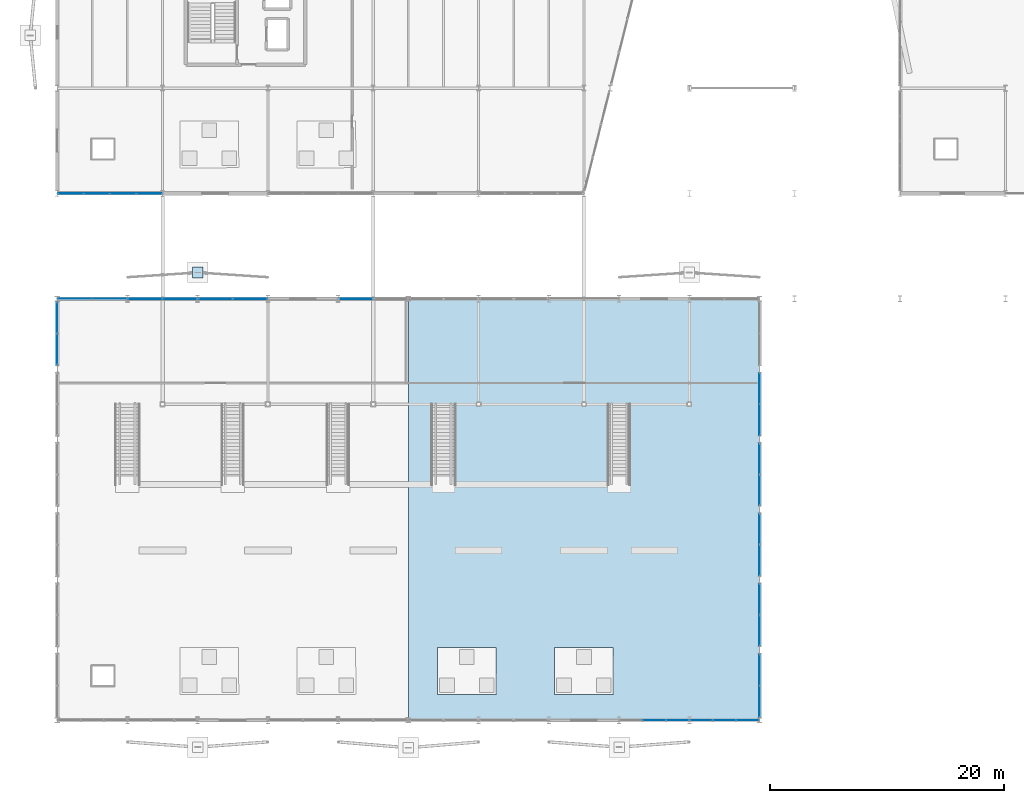
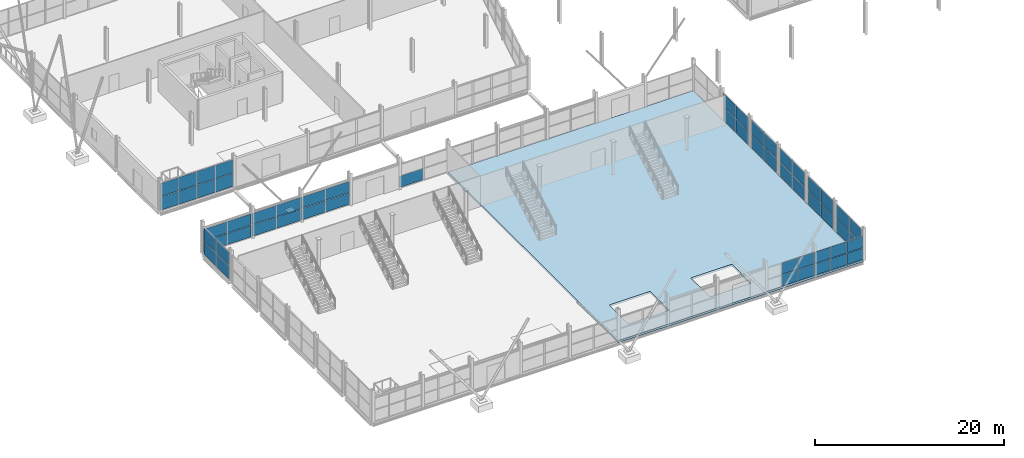
# One storey, part 102 of 140: 56 plates, 1 slab, 13 elements without a shape of their own.
"""IFC4 building model written with IfcOpenShell, lengths in metres."""

from ifc_helpers import new_model, si_unit, direction, frame, origin, origin_2d, place, context, subcontext, project, spatial, polyline, rectangle, outline, extrude, material, layer, layer_set, type_object, element, aggregate, save


model = new_model("IFC4")

# Units and contexts
model_context = context("Model", 3, precision=1e-05, world=origin(), true_north=direction((0.0, 1.0)))
body_context = subcontext(model_context, "Body", "Model", "MODEL_VIEW")
ifc_project = project(units=[si_unit("LENGTHUNIT", "METRE"), si_unit("AREAUNIT", "SQUARE_METRE"), si_unit("VOLUMEUNIT", "CUBIC_METRE"), si_unit("PLANEANGLEUNIT", "RADIAN"), si_unit("MASSUNIT", "GRAM", prefix="KILO")], contexts=[model_context])

# Site, building, storey
site_placement = place(None, origin())
site = spatial("IfcSite", under=ifc_project, at=site_placement, CompositionType="ELEMENT")
building_placement = place(site_placement, origin())
building = spatial("IfcBuilding", under=site, at=building_placement, Name="Deido Ridge Mobility Hub", CompositionType="ELEMENT")
storey_placement = place(building_placement, origin())
storey = spatial("IfcBuildingStorey", under=building, at=storey_placement, Name="L00", CompositionType="ELEMENT", Elevation=0.0)

# Curtain wall, plates
ifc_material_1 = material(Name="Anodised aluminium EN AW-6063 T6", Category="aluminium")
ifc_layer_1 = layer(ifc_material_1, 0.1650390625, Name="Anodised aluminium EN AW-6063 T6")
ifc_layer_set_1 = layer_set([ifc_layer_1], Name="Anodised aluminium EN AW-6063 T6")
curtain_wall_type_1 = type_object("IfcCurtainWallType", Name="CW-UF-1", PredefinedType="USERDEFINED", material=ifc_layer_set_1)
curtain_wall_1_placement = place(storey_placement, origin())
curtain_wall_1 = element("IfcCurtainWall", 1, at=curtain_wall_1_placement, inside=storey, type_object=curtain_wall_type_1, Name="Unitised curtain wall CW1", ObjectType="UNITISED FACADE", PredefinedType="USERDEFINED")
ifc_material_2 = material(Name="Laminated solar-control low-E glass", Category="glass")
ifc_layer_2 = layer(ifc_material_2, 0.02587890625, Name="Laminated solar-control low-E glass")
ifc_layer_set_2 = layer_set([ifc_layer_2], Name="Laminated solar-control low-E glass")
plate_type_1 = type_object("IfcPlateType", Name="PLT-CWP-26", PredefinedType="CURTAIN_PANEL", material=ifc_layer_set_2)
plate_1_placement = place(storey_placement, frame((51.0, 0.0, 0.050048828125), z_axis=(0.0, 0.0, 1.0), x_axis=(1.0, 0.0, 0.0)))
plate_1 = element("IfcPlate", 2, at=plate_1_placement, type_object=plate_type_1, Name="CW1 panel 2.1", PredefinedType="CURTAIN_PANEL", context=body_context, shape_type="SweptSolid", body=[
    extrude(rectangle(XDim=1.94482421875, YDim=0.02587890625, at=origin_2d()), origin(), (0.0, 0.0, 1.0), 1.47509765625),
])
plate_2_placement = place(storey_placement, frame((51.0, 0.0, 1.574951171875), z_axis=(0.0, 0.0, 1.0), x_axis=(1.0, 0.0, 0.0)))
plate_2 = element("IfcPlate", 3, at=plate_2_placement, type_object=plate_type_1, Name="CW1 panel 2.2", PredefinedType="CURTAIN_PANEL", context=body_context, shape_type="SweptSolid", body=[
    extrude(rectangle(XDim=1.94482421875, YDim=0.02587890625, at=origin_2d()), origin(), (0.0, 0.0, 1.0), 1.47509765625),
])
plate_3_placement = place(storey_placement, frame((52.982421875, 0.0, 0.050048828125), z_axis=(0.0, 0.0, 1.0), x_axis=(1.0, 0.0, 0.0)))
plate_3 = element("IfcPlate", 4, at=plate_3_placement, type_object=plate_type_1, Name="CW1 panel 3.1", PredefinedType="CURTAIN_PANEL", context=body_context, shape_type="SweptSolid", body=[
    extrude(rectangle(XDim=1.919921875, YDim=0.02587890625, at=origin_2d()), origin(), (0.0, 0.0, 1.0), 1.47509765625),
])
plate_4_placement = place(storey_placement, frame((52.982421875, 0.0, 1.574951171875), z_axis=(0.0, 0.0, 1.0), x_axis=(1.0, 0.0, 0.0)))
plate_4 = element("IfcPlate", 5, at=plate_4_placement, type_object=plate_type_1, Name="CW1 panel 3.2", PredefinedType="CURTAIN_PANEL", context=body_context, shape_type="SweptSolid", body=[
    extrude(rectangle(XDim=1.919921875, YDim=0.02587890625, at=origin_2d()), origin(), (0.0, 0.0, 1.0), 1.47509765625),
])
aggregate(curtain_wall_1, [plate_1, plate_2, plate_3, plate_4])

ifc_layer_3 = layer(ifc_material_1, 0.179931640625, Name="Anodised aluminium EN AW-6063 T6")
ifc_layer_set_3 = layer_set([ifc_layer_3], Name="Anodised aluminium EN AW-6063 T6")
curtain_wall_type_2 = type_object("IfcCurtainWallType", Name="CW-UF-2", PredefinedType="USERDEFINED", material=ifc_layer_set_3)
curtain_wall_2_placement = place(storey_placement, origin())
curtain_wall_2 = element("IfcCurtainWall", 6, at=curtain_wall_2_placement, inside=storey, type_object=curtain_wall_type_2, Name="Unitised curtain wall CW2", ObjectType="UNITISED FACADE", PredefinedType="USERDEFINED")
plate_5_placement = place(storey_placement, frame((60.0, 25.66259765625, 0.0498046875), z_axis=(0.0, 0.0, 1.0), x_axis=(0.0, 1.0, 0.0)))
plate_5 = element("IfcPlate", 7, at=plate_5_placement, type_object=plate_type_1, Name="CW2 panel 1.1", PredefinedType="CURTAIN_PANEL", context=body_context, shape_type="SweptSolid", body=[
    extrude(rectangle(XDim=2.625, YDim=0.02587890625, at=origin_2d()), origin(), (0.0, 0.0, 1.0), 1.737548828125),
])
plate_6_placement = place(storey_placement, frame((60.0, 25.66259765625, 1.83740234375), z_axis=(0.0, 0.0, 1.0), x_axis=(0.0, 1.0, 0.0)))
plate_6 = element("IfcPlate", 8, at=plate_6_placement, type_object=plate_type_1, Name="CW2 panel 1.2", PredefinedType="CURTAIN_PANEL", context=body_context, shape_type="SweptSolid", body=[
    extrude(rectangle(XDim=2.625, YDim=0.02587890625, at=origin_2d()), origin(), (0.0, 0.0, 1.0), 1.737548828125),
])
plate_7_placement = place(storey_placement, frame((60.0, 28.33740234375, 0.0498046875), z_axis=(0.0, 0.0, 1.0), x_axis=(0.0, 1.0, 0.0)))
plate_7 = element("IfcPlate", 9, at=plate_7_placement, type_object=plate_type_1, Name="CW2 panel 2.1", PredefinedType="CURTAIN_PANEL", context=body_context, shape_type="SweptSolid", body=[
    extrude(rectangle(XDim=2.625, YDim=0.02587890625, at=origin_2d()), origin(), (0.0, 0.0, 1.0), 1.737548828125),
])
plate_8_placement = place(storey_placement, frame((60.0, 28.33740234375, 1.83740234375), z_axis=(0.0, 0.0, 1.0), x_axis=(0.0, 1.0, 0.0)))
plate_8 = element("IfcPlate", 10, at=plate_8_placement, type_object=plate_type_1, Name="CW2 panel 2.2", PredefinedType="CURTAIN_PANEL", context=body_context, shape_type="SweptSolid", body=[
    extrude(rectangle(XDim=2.625, YDim=0.02587890625, at=origin_2d()), origin(), (0.0, 0.0, 1.0), 1.737548828125),
])
aggregate(curtain_wall_2, [plate_5, plate_6, plate_7, plate_8])

ifc_layer_4 = layer(ifc_material_1, 0.132080078125, Name="Anodised aluminium EN AW-6063 T6")
ifc_layer_set_4 = layer_set([ifc_layer_4], Name="Anodised aluminium EN AW-6063 T6")
curtain_wall_type_3 = type_object("IfcCurtainWallType", Name="CW-GS-1", PredefinedType="USERDEFINED", material=ifc_layer_set_4)
curtain_wall_3_placement = place(storey_placement, origin())
curtain_wall_3 = element("IfcCurtainWall", 11, at=curtain_wall_3_placement, inside=storey, type_object=curtain_wall_type_3, Name="Unitised curtain wall GS1", ObjectType="GLAZED SCREEN", PredefinedType="USERDEFINED")
ifc_layer_5 = layer(ifc_material_2, 0.029052734375, Name="Laminated solar-control low-E glass")
ifc_layer_set_5 = layer_set([ifc_layer_5], Name="Laminated solar-control low-E glass")
plate_type_2 = type_object("IfcPlateType", Name="PLT-CWP-29", PredefinedType="CURTAIN_PANEL", material=ifc_layer_set_5)
plate_9_placement = place(storey_placement, frame((1.520751953125, 36.0, 0.054931640625), z_axis=(0.0, 0.0, 1.0), x_axis=(1.0, 0.0, 0.0)))
plate_9 = element("IfcPlate", 12, at=plate_9_placement, type_object=plate_type_2, Name="GS1 panel 1.1", PredefinedType="CURTAIN_PANEL", context=body_context, shape_type="SweptSolid", body=[
    extrude(rectangle(XDim=2.90771484375, YDim=0.029052734375, at=origin_2d()), origin(), (0.0, 0.0, 1.0), 1.4599609375),
])
plate_10_placement = place(storey_placement, frame((1.520751953125, 36.0, 1.570068359375), z_axis=(0.0, 0.0, 1.0), x_axis=(1.0, 0.0, 0.0)))
plate_10 = element("IfcPlate", 13, at=plate_10_placement, type_object=plate_type_2, Name="GS1 panel 1.2", PredefinedType="CURTAIN_PANEL", context=body_context, shape_type="SweptSolid", body=[
    extrude(rectangle(XDim=2.90771484375, YDim=0.029052734375, at=origin_2d()), origin(), (0.0, 0.0, 1.0), 1.4599609375),
])
plate_11_placement = place(storey_placement, frame((4.4833984375, 36.0, 0.054931640625), z_axis=(0.0, 0.0, 1.0), x_axis=(1.0, 0.0, 0.0)))
plate_11 = element("IfcPlate", 14, at=plate_11_placement, type_object=plate_type_2, Name="GS1 panel 2.1", PredefinedType="CURTAIN_PANEL", context=body_context, shape_type="SweptSolid", body=[
    extrude(rectangle(XDim=2.90771484375, YDim=0.029052734375, at=origin_2d()), origin(), (0.0, 0.0, 1.0), 1.4599609375),
])
plate_12_placement = place(storey_placement, frame((4.4833984375, 36.0, 1.570068359375), z_axis=(0.0, 0.0, 1.0), x_axis=(1.0, 0.0, 0.0)))
plate_12 = element("IfcPlate", 15, at=plate_12_placement, type_object=plate_type_2, Name="GS1 panel 2.2", PredefinedType="CURTAIN_PANEL", context=body_context, shape_type="SweptSolid", body=[
    extrude(rectangle(XDim=2.90771484375, YDim=0.029052734375, at=origin_2d()), origin(), (0.0, 0.0, 1.0), 1.4599609375),
])
aggregate(curtain_wall_3, [plate_9, plate_10, plate_11, plate_12])

curtain_wall_4_placement = place(storey_placement, origin())
curtain_wall_4 = element("IfcCurtainWall", 16, at=curtain_wall_4_placement, inside=storey, type_object=curtain_wall_type_2, Name="Unitised curtain wall CW2", ObjectType="UNITISED FACADE", PredefinedType="USERDEFINED")
plate_13_placement = place(storey_placement, frame((55.018310546875, 0.0, 0.05517578125), z_axis=(0.0, 0.0, 1.0), x_axis=(1.0, 0.0, 0.0)))
plate_13 = element("IfcPlate", 17, at=plate_13_placement, type_object=plate_type_2, Name="CW2 panel 1.1", PredefinedType="CURTAIN_PANEL", context=body_context, shape_type="SweptSolid", body=[
    extrude(rectangle(XDim=1.910888671875, YDim=0.029052734375, at=origin_2d()), origin(), (0.0, 0.0, 1.0), 1.467529296875),
])
plate_14_placement = place(storey_placement, frame((55.018310546875, 0.0, 1.57763671875), z_axis=(0.0, 0.0, 1.0), x_axis=(1.0, 0.0, 0.0)))
plate_14 = element("IfcPlate", 18, at=plate_14_placement, type_object=plate_type_2, Name="CW2 panel 1.2", PredefinedType="CURTAIN_PANEL", context=body_context, shape_type="SweptSolid", body=[
    extrude(rectangle(XDim=1.910888671875, YDim=0.029052734375, at=origin_2d()), origin(), (0.0, 0.0, 1.0), 1.467529296875),
])
plate_15_placement = place(storey_placement, frame((56.997802734375, 0.0, 0.05517578125), z_axis=(0.0, 0.0, 1.0), x_axis=(1.0, 0.0, 0.0)))
plate_15 = element("IfcPlate", 19, at=plate_15_placement, type_object=plate_type_2, Name="CW2 panel 2.1", PredefinedType="CURTAIN_PANEL", context=body_context, shape_type="SweptSolid", body=[
    extrude(rectangle(XDim=1.9384765625, YDim=0.029052734375, at=origin_2d()), origin(), (0.0, 0.0, 1.0), 1.467529296875),
])
plate_16_placement = place(storey_placement, frame((56.997802734375, 0.0, 1.57763671875), z_axis=(0.0, 0.0, 1.0), x_axis=(1.0, 0.0, 0.0)))
plate_16 = element("IfcPlate", 20, at=plate_16_placement, type_object=plate_type_2, Name="CW2 panel 2.2", PredefinedType="CURTAIN_PANEL", context=body_context, shape_type="SweptSolid", body=[
    extrude(rectangle(XDim=1.9384765625, YDim=0.029052734375, at=origin_2d()), origin(), (0.0, 0.0, 1.0), 1.467529296875),
])
plate_17_placement = place(storey_placement, frame((58.9775390625, 0.0, 0.05517578125), z_axis=(0.0, 0.0, 1.0), x_axis=(1.0, 0.0, 0.0)))
plate_17 = element("IfcPlate", 21, at=plate_17_placement, type_object=plate_type_2, Name="CW2 panel 3.1", PredefinedType="CURTAIN_PANEL", context=body_context, shape_type="SweptSolid", body=[
    extrude(rectangle(XDim=1.910888671875, YDim=0.029052734375, at=origin_2d()), origin(), (0.0, 0.0, 1.0), 1.467529296875),
])
plate_18_placement = place(storey_placement, frame((58.9775390625, 0.0, 1.57763671875), z_axis=(0.0, 0.0, 1.0), x_axis=(1.0, 0.0, 0.0)))
plate_18 = element("IfcPlate", 22, at=plate_18_placement, type_object=plate_type_2, Name="CW2 panel 3.2", PredefinedType="CURTAIN_PANEL", context=body_context, shape_type="SweptSolid", body=[
    extrude(rectangle(XDim=1.910888671875, YDim=0.029052734375, at=origin_2d()), origin(), (0.0, 0.0, 1.0), 1.467529296875),
])
aggregate(curtain_wall_4, [plate_13, plate_14, plate_15, plate_16, plate_17, plate_18])

ifc_layer_6 = layer(ifc_material_1, 0.14404296875, Name="Anodised aluminium EN AW-6063 T6")
ifc_layer_set_6 = layer_set([ifc_layer_6], Name="Anodised aluminium EN AW-6063 T6")
curtain_wall_type_4 = type_object("IfcCurtainWallType", Name="CW-GS-2", PredefinedType="USERDEFINED", material=ifc_layer_set_6)
curtain_wall_5_placement = place(storey_placement, origin())
curtain_wall_5 = element("IfcCurtainWall", 23, at=curtain_wall_5_placement, inside=storey, type_object=curtain_wall_type_4, Name="Unitised curtain wall GS2", ObjectType="GLAZED SCREEN", PredefinedType="USERDEFINED")
ifc_layer_7 = layer(ifc_material_2, 0.031005859375, Name="Laminated solar-control low-E glass")
ifc_layer_set_7 = layer_set([ifc_layer_7], Name="Laminated solar-control low-E glass")
plate_type_3 = type_object("IfcPlateType", Name="PLT-CWP-31", PredefinedType="CURTAIN_PANEL", material=ifc_layer_set_7)
plate_19_placement = place(storey_placement, frame((7.518798828125, 36.0, 0.06005859375), z_axis=(0.0, 0.0, 1.0), x_axis=(1.0, 0.0, 0.0)))
plate_19 = element("IfcPlate", 24, at=plate_19_placement, type_object=plate_type_3, Name="GS2 panel 1.1", PredefinedType="CURTAIN_PANEL", context=body_context, shape_type="SweptSolid", body=[
    extrude(rectangle(XDim=2.90234375, YDim=0.031005859375, at=origin_2d()), origin(), (0.0, 0.0, 1.0), 1.452392578125),
])
plate_20_placement = place(storey_placement, frame((7.518798828125, 36.0, 1.57275390625), z_axis=(0.0, 0.0, 1.0), x_axis=(1.0, 0.0, 0.0)))
plate_20 = element("IfcPlate", 25, at=plate_20_placement, type_object=plate_type_3, Name="GS2 panel 1.2", PredefinedType="CURTAIN_PANEL", context=body_context, shape_type="SweptSolid", body=[
    extrude(rectangle(XDim=2.90234375, YDim=0.031005859375, at=origin_2d()), origin(), (0.0, 0.0, 1.0), 1.452392578125),
])
plate_21_placement = place(storey_placement, frame((10.481201171875, 36.0, 0.06005859375), z_axis=(0.0, 0.0, 1.0), x_axis=(1.0, 0.0, 0.0)))
plate_21 = element("IfcPlate", 26, at=plate_21_placement, type_object=plate_type_3, Name="GS2 panel 2.1", PredefinedType="CURTAIN_PANEL", context=body_context, shape_type="SweptSolid", body=[
    extrude(rectangle(XDim=2.90234375, YDim=0.031005859375, at=origin_2d()), origin(), (0.0, 0.0, 1.0), 1.452392578125),
])
plate_22_placement = place(storey_placement, frame((10.481201171875, 36.0, 1.57275390625), z_axis=(0.0, 0.0, 1.0), x_axis=(1.0, 0.0, 0.0)))
plate_22 = element("IfcPlate", 27, at=plate_22_placement, type_object=plate_type_3, Name="GS2 panel 2.2", PredefinedType="CURTAIN_PANEL", context=body_context, shape_type="SweptSolid", body=[
    extrude(rectangle(XDim=2.90234375, YDim=0.031005859375, at=origin_2d()), origin(), (0.0, 0.0, 1.0), 1.452392578125),
])
aggregate(curtain_wall_5, [plate_19, plate_20, plate_21, plate_22])

ifc_layer_8 = layer(ifc_material_1, 0.156005859375, Name="Anodised aluminium EN AW-6063 T6")
ifc_layer_set_8 = layer_set([ifc_layer_8], Name="Anodised aluminium EN AW-6063 T6")
curtain_wall_type_5 = type_object("IfcCurtainWallType", Name="CW-GS-3", PredefinedType="USERDEFINED", material=ifc_layer_set_8)
curtain_wall_6_placement = place(storey_placement, origin())
curtain_wall_6 = element("IfcCurtainWall", 28, at=curtain_wall_6_placement, inside=storey, type_object=curtain_wall_type_5, Name="Unitised curtain wall GS3", ObjectType="GLAZED SCREEN", PredefinedType="USERDEFINED")
ifc_layer_9 = layer(ifc_material_2, 0.032958984375, Name="Laminated solar-control low-E glass")
ifc_layer_set_9 = layer_set([ifc_layer_9], Name="Laminated solar-control low-E glass")
plate_type_4 = type_object("IfcPlateType", Name="PLT-CWP-33", PredefinedType="CURTAIN_PANEL", material=ifc_layer_set_9)
plate_23_placement = place(storey_placement, frame((13.52001953125, 36.0, 0.06494140625), z_axis=(0.0, 0.0, 1.0), x_axis=(1.0, 0.0, 0.0)))
plate_23 = element("IfcPlate", 29, at=plate_23_placement, type_object=plate_type_4, Name="GS3 panel 1.1", PredefinedType="CURTAIN_PANEL", context=body_context, shape_type="SweptSolid", body=[
    extrude(rectangle(XDim=2.894775390625, YDim=0.032958984375, at=origin_2d()), origin(), (0.0, 0.0, 1.0), 1.445068359375),
])
plate_24_placement = place(storey_placement, frame((13.52001953125, 36.0, 1.5751953125), z_axis=(0.0, 0.0, 1.0), x_axis=(1.0, 0.0, 0.0)))
plate_24 = element("IfcPlate", 30, at=plate_24_placement, type_object=plate_type_4, Name="GS3 panel 1.2", PredefinedType="CURTAIN_PANEL", context=body_context, shape_type="SweptSolid", body=[
    extrude(rectangle(XDim=2.894775390625, YDim=0.032958984375, at=origin_2d()), origin(), (0.0, 0.0, 1.0), 1.445068359375),
])
plate_25_placement = place(storey_placement, frame((16.479736328125, 36.0, 0.06494140625), z_axis=(0.0, 0.0, 1.0), x_axis=(1.0, 0.0, 0.0)))
plate_25 = element("IfcPlate", 31, at=plate_25_placement, type_object=plate_type_4, Name="GS3 panel 2.1", PredefinedType="CURTAIN_PANEL", context=body_context, shape_type="SweptSolid", body=[
    extrude(rectangle(XDim=2.894775390625, YDim=0.032958984375, at=origin_2d()), origin(), (0.0, 0.0, 1.0), 1.445068359375),
])
plate_26_placement = place(storey_placement, frame((16.479736328125, 36.0, 1.5751953125), z_axis=(0.0, 0.0, 1.0), x_axis=(1.0, 0.0, 0.0)))
plate_26 = element("IfcPlate", 32, at=plate_26_placement, type_object=plate_type_4, Name="GS3 panel 2.2", PredefinedType="CURTAIN_PANEL", context=body_context, shape_type="SweptSolid", body=[
    extrude(rectangle(XDim=2.894775390625, YDim=0.032958984375, at=origin_2d()), origin(), (0.0, 0.0, 1.0), 1.445068359375),
])
aggregate(curtain_wall_6, [plate_23, plate_24, plate_25, plate_26])

curtain_wall_7_placement = place(storey_placement, origin())
curtain_wall_7 = element("IfcCurtainWall", 33, at=curtain_wall_7_placement, inside=storey, type_object=curtain_wall_type_3, Name="Unitised curtain wall GS1", ObjectType="GLAZED SCREEN", PredefinedType="USERDEFINED")
plate_27_placement = place(storey_placement, frame((1.146728515625, 45.0, 0.06494140625), z_axis=(0.0, 0.0, 1.0), x_axis=(1.0, 0.0, 0.0)))
plate_27 = element("IfcPlate", 34, at=plate_27_placement, type_object=plate_type_4, Name="GS1 panel 1.1", PredefinedType="CURTAIN_PANEL", context=body_context, shape_type="SweptSolid", body=[
    extrude(rectangle(XDim=2.14892578125, YDim=0.032958984375, at=origin_2d()), origin(), (0.0, 0.0, 1.0), 1.702392578125),
])
plate_28_placement = place(storey_placement, frame((1.146728515625, 45.0, 1.83251953125), z_axis=(0.0, 0.0, 1.0), x_axis=(1.0, 0.0, 0.0)))
plate_28 = element("IfcPlate", 35, at=plate_28_placement, type_object=plate_type_4, Name="GS1 panel 1.2", PredefinedType="CURTAIN_PANEL", context=body_context, shape_type="SweptSolid", body=[
    extrude(rectangle(XDim=2.14892578125, YDim=0.032958984375, at=origin_2d()), origin(), (0.0, 0.0, 1.0), 1.702392578125),
])
plate_29_placement = place(storey_placement, frame((3.376708984375, 45.0, 0.06494140625), z_axis=(0.0, 0.0, 1.0), x_axis=(1.0, 0.0, 0.0)))
plate_29 = element("IfcPlate", 36, at=plate_29_placement, type_object=plate_type_4, Name="GS1 panel 2.1", PredefinedType="CURTAIN_PANEL", context=body_context, shape_type="SweptSolid", body=[
    extrude(rectangle(XDim=2.181396484375, YDim=0.032958984375, at=origin_2d()), origin(), (0.0, 0.0, 1.0), 1.702392578125),
])
plate_30_placement = place(storey_placement, frame((3.376708984375, 45.0, 1.83251953125), z_axis=(0.0, 0.0, 1.0), x_axis=(1.0, 0.0, 0.0)))
plate_30 = element("IfcPlate", 37, at=plate_30_placement, type_object=plate_type_4, Name="GS1 panel 2.2", PredefinedType="CURTAIN_PANEL", context=body_context, shape_type="SweptSolid", body=[
    extrude(rectangle(XDim=2.181396484375, YDim=0.032958984375, at=origin_2d()), origin(), (0.0, 0.0, 1.0), 1.702392578125),
])
plate_31_placement = place(storey_placement, frame((5.623291015625, 45.0, 0.06494140625), z_axis=(0.0, 0.0, 1.0), x_axis=(1.0, 0.0, 0.0)))
plate_31 = element("IfcPlate", 38, at=plate_31_placement, type_object=plate_type_4, Name="GS1 panel 3.1", PredefinedType="CURTAIN_PANEL", context=body_context, shape_type="SweptSolid", body=[
    extrude(rectangle(XDim=2.181396484375, YDim=0.032958984375, at=origin_2d()), origin(), (0.0, 0.0, 1.0), 1.702392578125),
])
plate_32_placement = place(storey_placement, frame((5.623291015625, 45.0, 1.83251953125), z_axis=(0.0, 0.0, 1.0), x_axis=(1.0, 0.0, 0.0)))
plate_32 = element("IfcPlate", 39, at=plate_32_placement, type_object=plate_type_4, Name="GS1 panel 3.2", PredefinedType="CURTAIN_PANEL", context=body_context, shape_type="SweptSolid", body=[
    extrude(rectangle(XDim=2.181396484375, YDim=0.032958984375, at=origin_2d()), origin(), (0.0, 0.0, 1.0), 1.702392578125),
])
plate_33_placement = place(storey_placement, frame((7.853271484375, 45.0, 0.06494140625), z_axis=(0.0, 0.0, 1.0), x_axis=(1.0, 0.0, 0.0)))
plate_33 = element("IfcPlate", 40, at=plate_33_placement, type_object=plate_type_4, Name="GS1 panel 4.1", PredefinedType="CURTAIN_PANEL", context=body_context, shape_type="SweptSolid", body=[
    extrude(rectangle(XDim=2.14892578125, YDim=0.032958984375, at=origin_2d()), origin(), (0.0, 0.0, 1.0), 1.702392578125),
])
plate_34_placement = place(storey_placement, frame((7.853271484375, 45.0, 1.83251953125), z_axis=(0.0, 0.0, 1.0), x_axis=(1.0, 0.0, 0.0)))
plate_34 = element("IfcPlate", 41, at=plate_34_placement, type_object=plate_type_4, Name="GS1 panel 4.2", PredefinedType="CURTAIN_PANEL", context=body_context, shape_type="SweptSolid", body=[
    extrude(rectangle(XDim=2.14892578125, YDim=0.032958984375, at=origin_2d()), origin(), (0.0, 0.0, 1.0), 1.702392578125),
])
aggregate(curtain_wall_7, [plate_27, plate_28, plate_29, plate_30, plate_31, plate_32, plate_33, plate_34])

ifc_layer_10 = layer(ifc_material_1, 0.239990234375, Name="Anodised aluminium EN AW-6063 T6")
ifc_layer_set_10 = layer_set([ifc_layer_10], Name="Anodised aluminium EN AW-6063 T6")
curtain_wall_type_6 = type_object("IfcCurtainWallType", Name="CW-UF-6", PredefinedType="USERDEFINED", material=ifc_layer_set_10)
curtain_wall_8_placement = place(storey_placement, origin())
curtain_wall_8 = element("IfcCurtainWall", 42, at=curtain_wall_8_placement, inside=storey, type_object=curtain_wall_type_6, Name="Unitised curtain wall CW6", ObjectType="UNITISED FACADE", PredefinedType="USERDEFINED")
ifc_layer_11 = layer(ifc_material_2, 0.034912109375, Name="Laminated solar-control low-E glass")
ifc_layer_set_11 = layer_set([ifc_layer_11], Name="Laminated solar-control low-E glass")
plate_type_5 = type_object("IfcPlateType", Name="PLT-CWP-35", PredefinedType="CURTAIN_PANEL", material=ifc_layer_set_11)
plate_35_placement = place(storey_placement, frame((60.0, 1.598388671875, 0.070068359375), z_axis=(0.0, 0.0, 1.0), x_axis=(0.0, 1.0, 0.0)))
plate_35 = element("IfcPlate", 43, at=plate_35_placement, type_object=plate_type_5, Name="CW6 panel 1.1", PredefinedType="CURTAIN_PANEL", context=body_context, shape_type="SweptSolid", body=[
    extrude(rectangle(XDim=2.64111328125, YDim=0.034912109375, at=origin_2d()), origin(), (0.0, 0.0, 1.0), 1.794921875),
])
plate_36_placement = place(storey_placement, frame((60.0, 1.598388671875, 1.93505859375), z_axis=(0.0, 0.0, 1.0), x_axis=(0.0, 1.0, 0.0)))
plate_36 = element("IfcPlate", 44, at=plate_36_placement, type_object=plate_type_5, Name="CW6 panel 1.2", PredefinedType="CURTAIN_PANEL", context=body_context, shape_type="SweptSolid", body=[
    extrude(rectangle(XDim=2.64111328125, YDim=0.034912109375, at=origin_2d()), origin(), (0.0, 0.0, 1.0), 1.794921875),
])
plate_37_placement = place(storey_placement, frame((60.0, 4.3095703125, 0.070068359375), z_axis=(0.0, 0.0, 1.0), x_axis=(0.0, 1.0, 0.0)))
plate_37 = element("IfcPlate", 45, at=plate_37_placement, type_object=plate_type_5, Name="CW6 panel 2.1", PredefinedType="CURTAIN_PANEL", context=body_context, shape_type="SweptSolid", body=[
    extrude(rectangle(XDim=2.64111328125, YDim=0.034912109375, at=origin_2d()), origin(), (0.0, 0.0, 1.0), 1.794921875),
])
plate_38_placement = place(storey_placement, frame((60.0, 4.3095703125, 1.93505859375), z_axis=(0.0, 0.0, 1.0), x_axis=(0.0, 1.0, 0.0)))
plate_38 = element("IfcPlate", 46, at=plate_38_placement, type_object=plate_type_5, Name="CW6 panel 2.2", PredefinedType="CURTAIN_PANEL", context=body_context, shape_type="SweptSolid", body=[
    extrude(rectangle(XDim=2.64111328125, YDim=0.034912109375, at=origin_2d()), origin(), (0.0, 0.0, 1.0), 1.794921875),
])
aggregate(curtain_wall_8, [plate_35, plate_36, plate_37, plate_38])

# Curtain wall, plate
curtain_wall_9_placement = place(storey_placement, origin())
curtain_wall_9 = element("IfcCurtainWall", 47, at=curtain_wall_9_placement, inside=storey, type_object=curtain_wall_type_3, Name="Unitised curtain wall GS1", ObjectType="GLAZED SCREEN", PredefinedType="USERDEFINED")
ifc_layer_12 = layer(ifc_material_2, 0.037109375, Name="Laminated solar-control low-E glass")
ifc_layer_set_12 = layer_set([ifc_layer_12], Name="Laminated solar-control low-E glass")
plate_type_6 = type_object("IfcPlateType", Name="PLT-CWP-37", PredefinedType="CURTAIN_PANEL", material=ifc_layer_set_12)
plate_39_placement = place(storey_placement, frame((25.521484375, 36.0, 0.074951171875), z_axis=(0.0, 0.0, 1.0), x_axis=(1.0, 0.0, 0.0)))
plate_39 = element("IfcPlate", 48, at=plate_39_placement, type_object=plate_type_6, Name="GS1 panel 1.1", PredefinedType="CURTAIN_PANEL", context=body_context, shape_type="SweptSolid", body=[
    extrude(rectangle(XDim=2.877685546875, YDim=0.037109375, at=origin_2d()), origin(), (0.0, 0.0, 1.0), 1.4375),
])
aggregate(curtain_wall_9, [plate_39])

# Curtain wall, plates
ifc_layer_13 = layer(ifc_material_1, 0.2548828125, Name="Anodised aluminium EN AW-6063 T6")
ifc_layer_set_13 = layer_set([ifc_layer_13], Name="Anodised aluminium EN AW-6063 T6")
curtain_wall_type_7 = type_object("IfcCurtainWallType", Name="CW-UF-7", PredefinedType="USERDEFINED", material=ifc_layer_set_13)
curtain_wall_10_placement = place(storey_placement, origin())
curtain_wall_10 = element("IfcCurtainWall", 49, at=curtain_wall_10_placement, inside=storey, type_object=curtain_wall_type_7, Name="Unitised curtain wall CW7", ObjectType="UNITISED FACADE", PredefinedType="USERDEFINED")
plate_40_placement = place(storey_placement, frame((60.0, 7.668701171875, 0.074951171875), z_axis=(0.0, 0.0, 1.0), x_axis=(0.0, 1.0, 0.0)))
plate_40 = element("IfcPlate", 50, at=plate_40_placement, type_object=plate_type_6, Name="CW7 panel 1.1", PredefinedType="CURTAIN_PANEL", context=body_context, shape_type="SweptSolid", body=[
    extrude(rectangle(XDim=2.58740234375, YDim=0.037109375, at=origin_2d()), origin(), (0.0, 0.0, 1.0), 1.78759765625),
])
plate_41_placement = place(storey_placement, frame((60.0, 7.668701171875, 1.9375), z_axis=(0.0, 0.0, 1.0), x_axis=(0.0, 1.0, 0.0)))
plate_41 = element("IfcPlate", 51, at=plate_41_placement, type_object=plate_type_6, Name="CW7 panel 1.2", PredefinedType="CURTAIN_PANEL", context=body_context, shape_type="SweptSolid", body=[
    extrude(rectangle(XDim=2.58740234375, YDim=0.037109375, at=origin_2d()), origin(), (0.0, 0.0, 1.0), 1.78759765625),
])
plate_42_placement = place(storey_placement, frame((60.0, 10.331298828125, 0.074951171875), z_axis=(0.0, 0.0, 1.0), x_axis=(0.0, 1.0, 0.0)))
plate_42 = element("IfcPlate", 52, at=plate_42_placement, type_object=plate_type_6, Name="CW7 panel 2.1", PredefinedType="CURTAIN_PANEL", context=body_context, shape_type="SweptSolid", body=[
    extrude(rectangle(XDim=2.58740234375, YDim=0.037109375, at=origin_2d()), origin(), (0.0, 0.0, 1.0), 1.78759765625),
])
plate_43_placement = place(storey_placement, frame((60.0, 10.331298828125, 1.9375), z_axis=(0.0, 0.0, 1.0), x_axis=(0.0, 1.0, 0.0)))
plate_43 = element("IfcPlate", 53, at=plate_43_placement, type_object=plate_type_6, Name="CW7 panel 2.2", PredefinedType="CURTAIN_PANEL", context=body_context, shape_type="SweptSolid", body=[
    extrude(rectangle(XDim=2.58740234375, YDim=0.037109375, at=origin_2d()), origin(), (0.0, 0.0, 1.0), 1.78759765625),
])
aggregate(curtain_wall_10, [plate_40, plate_41, plate_42, plate_43])

ifc_layer_14 = layer(ifc_material_1, 0.27001953125, Name="Anodised aluminium EN AW-6063 T6")
ifc_layer_set_14 = layer_set([ifc_layer_14], Name="Anodised aluminium EN AW-6063 T6")
curtain_wall_type_8 = type_object("IfcCurtainWallType", Name="CW-UF-8", PredefinedType="USERDEFINED", material=ifc_layer_set_14)
curtain_wall_11_placement = place(storey_placement, origin())
curtain_wall_11 = element("IfcCurtainWall", 54, at=curtain_wall_11_placement, inside=storey, type_object=curtain_wall_type_8, Name="Unitised curtain wall CW8", ObjectType="UNITISED FACADE", PredefinedType="USERDEFINED")
ifc_layer_15 = layer(ifc_material_2, 0.0390625, Name="Laminated solar-control low-E glass")
ifc_layer_set_15 = layer_set([ifc_layer_15], Name="Laminated solar-control low-E glass")
plate_type_7 = type_object("IfcPlateType", Name="PLT-CWP-39", PredefinedType="CURTAIN_PANEL", material=ifc_layer_set_15)
plate_44_placement = place(storey_placement, frame((60.0, 13.669921875, 0.080078125), z_axis=(0.0, 0.0, 1.0), x_axis=(0.0, 1.0, 0.0)))
plate_44 = element("IfcPlate", 55, at=plate_44_placement, type_object=plate_type_7, Name="CW8 panel 1.1", PredefinedType="CURTAIN_PANEL", context=body_context, shape_type="SweptSolid", body=[
    extrude(rectangle(XDim=2.580078125, YDim=0.0390625, at=origin_2d()), origin(), (0.0, 0.0, 1.0), 1.780029296875),
])
plate_45_placement = place(storey_placement, frame((60.0, 13.669921875, 1.93994140625), z_axis=(0.0, 0.0, 1.0), x_axis=(0.0, 1.0, 0.0)))
plate_45 = element("IfcPlate", 56, at=plate_45_placement, type_object=plate_type_7, Name="CW8 panel 1.2", PredefinedType="CURTAIN_PANEL", context=body_context, shape_type="SweptSolid", body=[
    extrude(rectangle(XDim=2.580078125, YDim=0.0390625, at=origin_2d()), origin(), (0.0, 0.0, 1.0), 1.780029296875),
])
plate_46_placement = place(storey_placement, frame((60.0, 16.330078125, 0.080078125), z_axis=(0.0, 0.0, 1.0), x_axis=(0.0, 1.0, 0.0)))
plate_46 = element("IfcPlate", 57, at=plate_46_placement, type_object=plate_type_7, Name="CW8 panel 2.1", PredefinedType="CURTAIN_PANEL", context=body_context, shape_type="SweptSolid", body=[
    extrude(rectangle(XDim=2.580078125, YDim=0.0390625, at=origin_2d()), origin(), (0.0, 0.0, 1.0), 1.780029296875),
])
plate_47_placement = place(storey_placement, frame((60.0, 16.330078125, 1.93994140625), z_axis=(0.0, 0.0, 1.0), x_axis=(0.0, 1.0, 0.0)))
plate_47 = element("IfcPlate", 58, at=plate_47_placement, type_object=plate_type_7, Name="CW8 panel 2.2", PredefinedType="CURTAIN_PANEL", context=body_context, shape_type="SweptSolid", body=[
    extrude(rectangle(XDim=2.580078125, YDim=0.0390625, at=origin_2d()), origin(), (0.0, 0.0, 1.0), 1.780029296875),
])
aggregate(curtain_wall_11, [plate_44, plate_45, plate_46, plate_47])

curtain_wall_12_placement = place(storey_placement, origin())
curtain_wall_12 = element("IfcCurtainWall", 59, at=curtain_wall_12_placement, inside=storey, type_object=curtain_wall_type_1, Name="Unitised curtain wall CW1", ObjectType="UNITISED FACADE", PredefinedType="USERDEFINED")
ifc_layer_16 = layer(ifc_material_2, 0.041015625, Name="Laminated solar-control low-E glass")
ifc_layer_set_16 = layer_set([ifc_layer_16], Name="Laminated solar-control low-E glass")
plate_type_8 = type_object("IfcPlateType", Name="PLT-CWP-41", PredefinedType="CURTAIN_PANEL", material=ifc_layer_set_16)
plate_48_placement = place(storey_placement, frame((60.0, 19.671142578125, 0.0849609375), z_axis=(0.0, 0.0, 1.0), x_axis=(0.0, 1.0, 0.0)))
plate_48 = element("IfcPlate", 60, at=plate_48_placement, type_object=plate_type_8, Name="CW1 panel 1.1", PredefinedType="CURTAIN_PANEL", context=body_context, shape_type="SweptSolid", body=[
    extrude(rectangle(XDim=2.572509765625, YDim=0.041015625, at=origin_2d()), origin(), (0.0, 0.0, 1.0), 1.7724609375),
])
plate_49_placement = place(storey_placement, frame((60.0, 19.671142578125, 1.942626953125), z_axis=(0.0, 0.0, 1.0), x_axis=(0.0, 1.0, 0.0)))
plate_49 = element("IfcPlate", 61, at=plate_49_placement, type_object=plate_type_8, Name="CW1 panel 1.2", PredefinedType="CURTAIN_PANEL", context=body_context, shape_type="SweptSolid", body=[
    extrude(rectangle(XDim=2.572509765625, YDim=0.041015625, at=origin_2d()), origin(), (0.0, 0.0, 1.0), 1.7724609375),
])
plate_50_placement = place(storey_placement, frame((60.0, 22.328857421875, 0.0849609375), z_axis=(0.0, 0.0, 1.0), x_axis=(0.0, 1.0, 0.0)))
plate_50 = element("IfcPlate", 62, at=plate_50_placement, type_object=plate_type_8, Name="CW1 panel 2.1", PredefinedType="CURTAIN_PANEL", context=body_context, shape_type="SweptSolid", body=[
    extrude(rectangle(XDim=2.572509765625, YDim=0.041015625, at=origin_2d()), origin(), (0.0, 0.0, 1.0), 1.7724609375),
])
plate_51_placement = place(storey_placement, frame((60.0, 22.328857421875, 1.942626953125), z_axis=(0.0, 0.0, 1.0), x_axis=(0.0, 1.0, 0.0)))
plate_51 = element("IfcPlate", 63, at=plate_51_placement, type_object=plate_type_8, Name="CW1 panel 2.2", PredefinedType="CURTAIN_PANEL", context=body_context, shape_type="SweptSolid", body=[
    extrude(rectangle(XDim=2.572509765625, YDim=0.041015625, at=origin_2d()), origin(), (0.0, 0.0, 1.0), 1.7724609375),
])
aggregate(curtain_wall_12, [plate_48, plate_49, plate_50, plate_51])

curtain_wall_13_placement = place(storey_placement, origin())
curtain_wall_13 = element("IfcCurtainWall", 64, at=curtain_wall_13_placement, inside=storey, type_object=curtain_wall_type_1, Name="Unitised curtain wall CW1", ObjectType="UNITISED FACADE", PredefinedType="USERDEFINED")
plate_52_placement = place(storey_placement, frame((0.0, 31.6943359375, 0.0849609375), z_axis=(0.0, 0.0, 1.0), x_axis=(0.0, 1.0, 0.0)))
plate_52 = element("IfcPlate", 65, at=plate_52_placement, type_object=plate_type_8, Name="CW1 panel 1.1", PredefinedType="CURTAIN_PANEL", context=body_context, shape_type="SweptSolid", body=[
    extrude(rectangle(XDim=2.618408203125, YDim=0.041015625, at=origin_2d()), origin(), (0.0, 0.0, 1.0), 1.68505859375),
])
plate_53_placement = place(storey_placement, frame((0.0, 31.6943359375, 1.85498046875), z_axis=(0.0, 0.0, 1.0), x_axis=(0.0, 1.0, 0.0)))
plate_53 = element("IfcPlate", 66, at=plate_53_placement, type_object=plate_type_8, Name="CW1 panel 1.2", PredefinedType="CURTAIN_PANEL", context=body_context, shape_type="SweptSolid", body=[
    extrude(rectangle(XDim=2.618408203125, YDim=0.041015625, at=origin_2d()), origin(), (0.0, 0.0, 1.0), 1.68505859375),
])
plate_54_placement = place(storey_placement, frame((0.0, 34.397705078125, 0.0849609375), z_axis=(0.0, 0.0, 1.0), x_axis=(0.0, 1.0, 0.0)))
plate_54 = element("IfcPlate", 67, at=plate_54_placement, type_object=plate_type_8, Name="CW1 panel 2.1", PredefinedType="CURTAIN_PANEL", context=body_context, shape_type="SweptSolid", body=[
    extrude(rectangle(XDim=2.618408203125, YDim=0.041015625, at=origin_2d()), origin(), (0.0, 0.0, 1.0), 1.68505859375),
])
plate_55_placement = place(storey_placement, frame((0.0, 34.397705078125, 1.85498046875), z_axis=(0.0, 0.0, 1.0), x_axis=(0.0, 1.0, 0.0)))
plate_55 = element("IfcPlate", 68, at=plate_55_placement, type_object=plate_type_8, Name="CW1 panel 2.2", PredefinedType="CURTAIN_PANEL", context=body_context, shape_type="SweptSolid", body=[
    extrude(rectangle(XDim=2.618408203125, YDim=0.041015625, at=origin_2d()), origin(), (0.0, 0.0, 1.0), 1.68505859375),
])
aggregate(curtain_wall_13, [plate_52, plate_53, plate_54, plate_55])

# Plate
ifc_material_3 = material(Name="Steel S355J2 EN 10025-2", Category="steel")
ifc_layer_17 = layer(ifc_material_3, 0.0400390625, Name="Steel S355J2 EN 10025-2")
ifc_layer_set_17 = layer_set([ifc_layer_17], Name="Steel S355J2 EN 10025-2")
plate_type_9 = type_object("IfcPlateType", Name="PLT-SHT-40", PredefinedType="SHEET", material=ifc_layer_set_17)
plate_56_placement = place(storey_placement, frame((12.0, 38.25, 0.0), z_axis=(0.0, 0.0, 1.0), x_axis=(1.0, 0.0, 0.0)))
element("IfcPlate", 69, at=plate_56_placement, inside=storey, type_object=plate_type_9, Name="Exoskeleton V-strut base plate BP2 111", PredefinedType="SHEET", context=body_context, shape_type="SweptSolid", body=[
    extrude(rectangle(XDim=0.89990234375, YDim=0.89990234375, at=origin_2d()), origin(), (0.0, 0.0, 1.0), 0.0400390625),
])

# Slab
ifc_material_4 = material(Name="Concrete C35/45", Category="concrete")
ifc_layer_18 = layer(ifc_material_4, 0.260009765625, Name="Concrete C35/45")
ifc_layer_set_18 = layer_set([ifc_layer_18], Name="Concrete C35/45")
slab_type = type_object("IfcSlabType", Name="SLB-FLR-260", PredefinedType="FLOOR", material=ifc_layer_set_18)
slab_placement = place(storey_placement, frame((0.0, 0.0, -0.260009765625)))
element("IfcSlab", 70, at=slab_placement, inside=storey, type_object=slab_type, Name="L00 V1 structural deck 12", PredefinedType="FLOOR", context=body_context, shape_type="SweptSolid", body=[
    extrude(outline(polyline([(30.0, 36.0), (60.0, 36.0), (60.0, 0.0), (30.0, 0.0), (30.0, 36.0)]), holes=[polyline([(32.48681640625, 6.20703125), (37.5, 6.215087890625), (37.514892578125, 2.199951171875), (32.5, 2.18505859375), (32.48681640625, 6.20703125)]), polyline([(42.48681640625, 6.20703125), (47.5, 6.215087890625), (47.514892578125, 2.199951171875), (42.5, 2.18505859375), (42.48681640625, 6.20703125)])]), origin(), (0.0, 0.0, 1.0), 0.260009765625),
])

save(model, "model.ifc")
